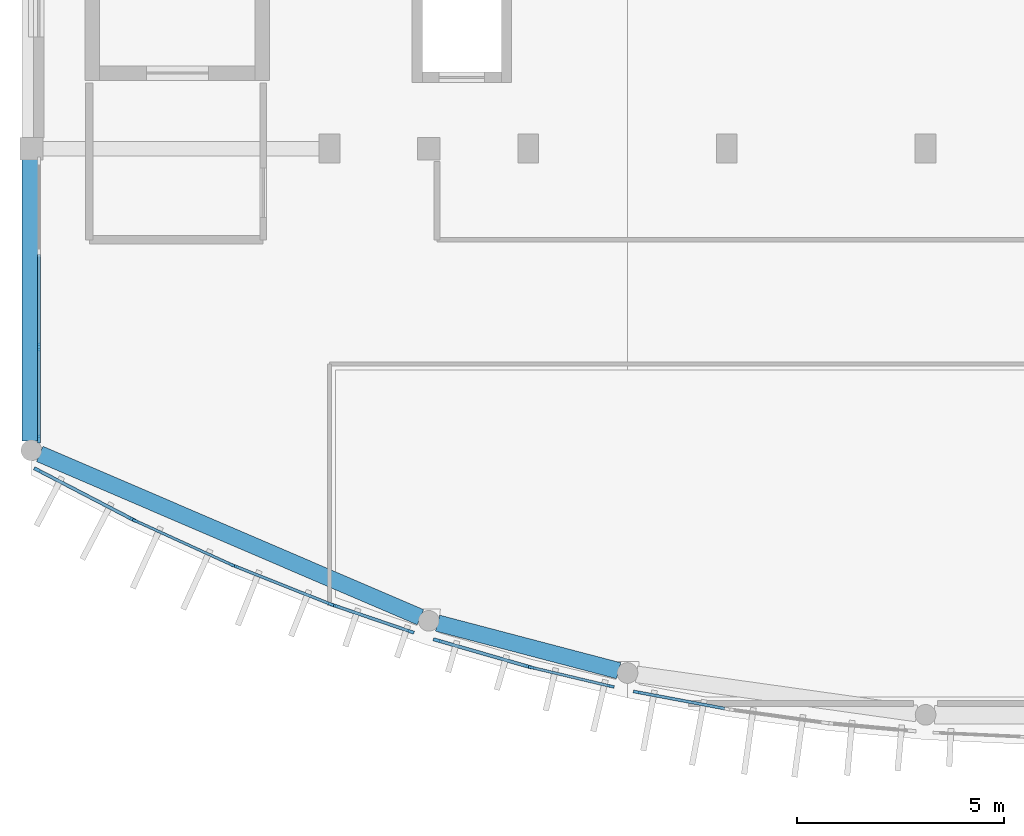
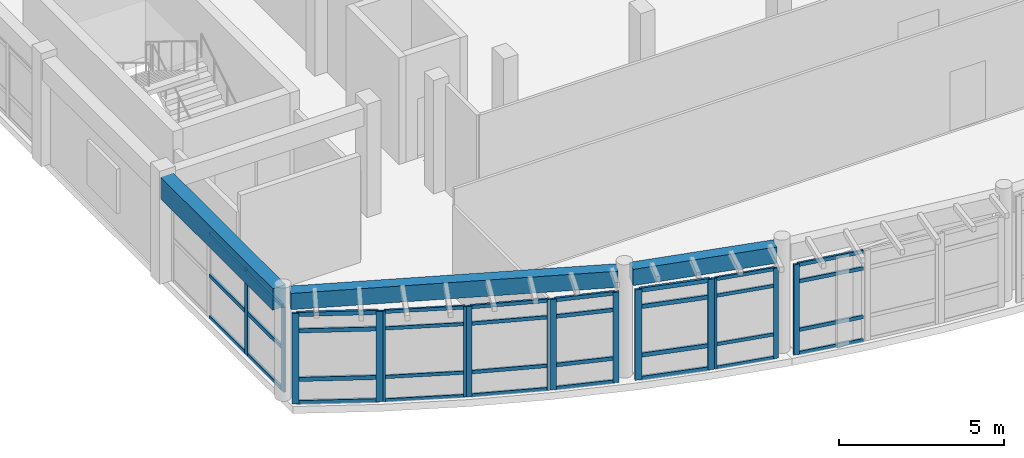
# One storey, part 9 of 60: 49 members, 3 beams, 8 elements without a shape of their own.
"""IFC4 building model written with IfcOpenShell, lengths in metres."""

from ifc_helpers import new_model, si_unit, direction, frame, origin, origin_2d, place, context, subcontext, project, spatial, rectangle, extrude, material, layer, layer_set, material_profile, profile_set, type_object, element, aggregate, save


model = new_model("IFC4")

# Units and contexts
model_context = context("Model", 3, precision=1e-05, world=origin(), true_north=direction((0.0, 1.0)))
body_context = subcontext(model_context, "Body", "Model", "MODEL_VIEW")
ifc_project = project(units=[si_unit("LENGTHUNIT", "METRE"), si_unit("AREAUNIT", "SQUARE_METRE"), si_unit("VOLUMEUNIT", "CUBIC_METRE"), si_unit("PLANEANGLEUNIT", "RADIAN"), si_unit("MASSUNIT", "GRAM", prefix="KILO")], contexts=[model_context])

# Site, building, storey
site_placement = place(None, origin())
site = spatial("IfcSite", under=ifc_project, at=site_placement, CompositionType="ELEMENT")
building_placement = place(site_placement, origin())
building = spatial("IfcBuilding", under=site, at=building_placement, Name="Brisavento Harbour Community Centre", CompositionType="ELEMENT")
storey_placement = place(building_placement, frame((0.0, 0.0, 4.5)))
storey = spatial("IfcBuildingStorey", under=building, at=storey_placement, Name="L01", CompositionType="ELEMENT", Elevation=4.5)

# Beams
ifc_material_1 = material(Name="Concrete C35/45", Category="concrete")
ifc_material_profile_1 = material_profile(ifc_material_1, rectangle(XDim=0.449951171875, YDim=0.800048828125, at=origin_2d()), Name="Concrete C35/45")
ifc_profile_set_1 = profile_set([ifc_material_profile_1], Name="Concrete C35/45")
beam_type_1 = type_object("IfcBeamType", Name="BM-RC-450x800", PredefinedType="BEAM", material=ifc_profile_set_1)
beam_1_placement = place(storey_placement, frame((0.0, 7.334228515625, 3.550048828125), z_axis=(0.0, 1.0, 0.0), x_axis=(-1.0, 0.0, 0.0)))
element("IfcBeam", 1, at=beam_1_placement, inside=storey, type_object=beam_type_1, Name="L01 primary girder Y0475", PredefinedType="BEAM", context=body_context, shape_type="SweptSolid", body=[
    extrude(rectangle(XDim=0.449951171875, YDim=0.800048828125, at=origin_2d()), origin(), (0.0, 0.0, 1.0), 6.82080078125),
])
ifc_material_profile_2 = material_profile(ifc_material_1, rectangle(XDim=0.39990234375, YDim=0.60009765625, at=origin_2d()), Name="Concrete C35/45")
ifc_profile_set_2 = profile_set([ifc_material_profile_2], Name="Concrete C35/45")
beam_type_2 = type_object("IfcBeamType", Name="BM-SPN-400x600", PredefinedType="SPANDREL", material=ifc_profile_set_2)
beam_2_placement = place(storey_placement, frame((0.2021484375, 7.027587890625, 3.64990234375), z_axis=(0.918969522078, -0.394328565401, 0.0), x_axis=(0.394328565401, 0.918969522078, 0.0)))
element("IfcBeam", 2, at=beam_2_placement, inside=storey, type_object=beam_type_2, Name="L01 curved perimeter spandrel 0531", PredefinedType="SPANDREL", context=body_context, shape_type="SweptSolid", body=[
    extrude(rectangle(XDim=0.39990234375, YDim=0.60009765625, at=origin_2d()), origin(), (0.0, 0.0, 1.0), 10.00634765625),
])
beam_3_placement = place(storey_placement, frame((9.812744140625, 2.939208984375, 3.64990234375), z_axis=(0.967170956244, -0.254126624735, 0.0), x_axis=(0.254126624735, 0.967170956244, 0.0)))
element("IfcBeam", 3, at=beam_3_placement, inside=storey, type_object=beam_type_2, Name="L01 curved perimeter spandrel 0532", PredefinedType="SPANDREL", context=body_context, shape_type="SweptSolid", body=[
    extrude(rectangle(XDim=0.39990234375, YDim=0.60009765625, at=origin_2d()), origin(), (0.0, 0.0, 1.0), 4.52294921875),
])

# Curtain wall, members
ifc_material_2 = material(Name="Marine-anodised aluminium AW-6063-T6", Category="aluminium")
ifc_layer_1 = layer(ifc_material_2, 0.179931640625, Name="Marine-anodised aluminium AW-6063-T6")
ifc_layer_set_1 = layer_set([ifc_layer_1], Name="Marine-anodised aluminium AW-6063-T6")
curtain_wall_type_1 = type_object("IfcCurtainWallType", Name="CW-SYS-21", PredefinedType="USERDEFINED", material=ifc_layer_set_1)
curtain_wall_1_placement = place(storey_placement, origin())
curtain_wall_1 = element("IfcCurtainWall", 4, at=curtain_wall_1_placement, inside=storey, type_object=curtain_wall_type_1, Name="L01 V1 unitised curtain wall 021", ObjectType="UNITISED CURTAIN WALL", PredefinedType="USERDEFINED")
ifc_material_profile_3 = material_profile(ifc_material_2, rectangle(XDim=0.06494140625, YDim=0.1650390625, at=origin_2d()), Name="Marine-anodised aluminium AW-6063-T6")
ifc_profile_set_3 = profile_set([ifc_material_profile_3], Name="Marine-anodised aluminium AW-6063-T6")
member_type_1 = type_object("IfcMemberType", Name="CWM-01", PredefinedType="MULLION", material=ifc_profile_set_3)
member_1_placement = place(storey_placement, frame((4.828857421875, 4.353515625, 0.0), z_axis=(0.0, 0.0, 1.0), x_axis=(-0.415490040189, -0.909597727846, 0.0)))
member_1 = element("IfcMember", 5, at=member_1_placement, type_object=member_type_1, Name="CW-21 mullion 1", PredefinedType="MULLION", context=body_context, shape_type="SweptSolid", body=[
    extrude(rectangle(XDim=0.06494140625, YDim=0.1650390625, at=origin_2d()), origin(), (0.0, 0.0, 1.0), 3.35009765625),
])
member_2_placement = place(storey_placement, frame((2.520751953125, 5.40771484375, 0.0), z_axis=(0.0, 0.0, 1.0), x_axis=(-0.415490040189, -0.909597727846, 0.0)))
member_2 = element("IfcMember", 6, at=member_2_placement, type_object=member_type_1, Name="CW-21 mullion 2", PredefinedType="MULLION", context=body_context, shape_type="SweptSolid", body=[
    extrude(rectangle(XDim=0.06494140625, YDim=0.1650390625, at=origin_2d()), origin(), (0.0, 0.0, 1.0), 3.35009765625),
])

ifc_layer_2 = layer(ifc_material_2, 0.179931640625, Name="Marine-anodised aluminium AW-6063-T6")
ifc_layer_set_2 = layer_set([ifc_layer_2], Name="Marine-anodised aluminium AW-6063-T6")
curtain_wall_type_2 = type_object("IfcCurtainWallType", Name="CW-SYS-25", PredefinedType="USERDEFINED", material=ifc_layer_set_2)
curtain_wall_2_placement = place(storey_placement, origin())
curtain_wall_2 = element("IfcCurtainWall", 7, at=curtain_wall_2_placement, inside=storey, type_object=curtain_wall_type_2, Name="L01 V1 unitised curtain wall 025", ObjectType="UNITISED CURTAIN WALL", PredefinedType="USERDEFINED")
member_3_placement = place(storey_placement, frame((13.9970703125, 1.41455078125, 0.0), z_axis=(0.0, 0.0, 1.0), x_axis=(-0.230812289714, -0.972998297489, 0.0)))
member_3 = element("IfcMember", 8, at=member_3_placement, type_object=member_type_1, Name="CW-25 mullion 1", PredefinedType="MULLION", context=body_context, shape_type="SweptSolid", body=[
    extrude(rectangle(XDim=0.06494140625, YDim=0.1650390625, at=origin_2d()), origin(), (0.0, 0.0, 1.0), 3.35009765625),
])
member_4_placement = place(storey_placement, frame((12.0908203125, 1.86669921875, 0.0), z_axis=(0.0, 0.0, 1.0), x_axis=(-0.230812289714, -0.972998297489, 0.0)))
member_4 = element("IfcMember", 9, at=member_4_placement, type_object=member_type_1, Name="CW-25 mullion 2", PredefinedType="MULLION", context=body_context, shape_type="SweptSolid", body=[
    extrude(rectangle(XDim=0.06494140625, YDim=0.1650390625, at=origin_2d()), origin(), (0.0, 0.0, 1.0), 3.35009765625),
])

ifc_layer_3 = layer(ifc_material_2, 0.179931640625, Name="Marine-anodised aluminium AW-6063-T6")
ifc_layer_set_3 = layer_set([ifc_layer_3], Name="Marine-anodised aluminium AW-6063-T6")
curtain_wall_type_3 = type_object("IfcCurtainWallType", Name="CW-SYS-22", PredefinedType="USERDEFINED", material=ifc_layer_set_3)
curtain_wall_3_placement = place(storey_placement, origin())
curtain_wall_3 = element("IfcCurtainWall", 10, at=curtain_wall_3_placement, inside=storey, type_object=curtain_wall_type_3, Name="L01 V1 unitised curtain wall 022", ObjectType="UNITISED CURTAIN WALL", PredefinedType="USERDEFINED")
ifc_material_profile_4 = material_profile(ifc_material_2, rectangle(XDim=0.070068359375, YDim=0.179931640625, at=origin_2d()), Name="Marine-anodised aluminium AW-6063-T6")
ifc_profile_set_4 = profile_set([ifc_material_profile_4], Name="Marine-anodised aluminium AW-6063-T6")
member_type_2 = type_object("IfcMemberType", Name="CWM-02", PredefinedType="MULLION", material=ifc_profile_set_4)
member_5_placement = place(storey_placement, frame((7.21728515625, 3.401611328125, 0.0), z_axis=(0.0, 0.0, 1.0), x_axis=(-0.369379094613, -0.929278798027, 0.0)))
member_5 = element("IfcMember", 11, at=member_5_placement, type_object=member_type_2, Name="CW-22 mullion 1", PredefinedType="MULLION", context=body_context, shape_type="SweptSolid", body=[
    extrude(rectangle(XDim=0.070068359375, YDim=0.179931640625, at=origin_2d()), origin(), (0.0, 0.0, 1.0), 3.35009765625),
])
member_6_placement = place(storey_placement, frame((4.915771484375, 4.31640625, 0.0), z_axis=(0.0, 0.0, 1.0), x_axis=(-0.369379094613, -0.929278798027, 0.0)))
member_6 = element("IfcMember", 12, at=member_6_placement, type_object=member_type_2, Name="CW-22 mullion 2", PredefinedType="MULLION", context=body_context, shape_type="SweptSolid", body=[
    extrude(rectangle(XDim=0.070068359375, YDim=0.179931640625, at=origin_2d()), origin(), (0.0, 0.0, 1.0), 3.35009765625),
])

# Curtain wall, member
ifc_layer_4 = layer(ifc_material_2, 0.179931640625, Name="Marine-anodised aluminium AW-6063-T6")
ifc_layer_set_4 = layer_set([ifc_layer_4], Name="Marine-anodised aluminium AW-6063-T6")
curtain_wall_type_4 = type_object("IfcCurtainWallType", Name="CW-SYS-26", PredefinedType="USERDEFINED", material=ifc_layer_set_4)
curtain_wall_4_placement = place(storey_placement, origin())
curtain_wall_4 = element("IfcCurtainWall", 13, at=curtain_wall_4_placement, inside=storey, type_object=curtain_wall_type_4, Name="L01 V1 unitised curtain wall 026", ObjectType="UNITISED CURTAIN WALL", PredefinedType="USERDEFINED")
member_7_placement = place(storey_placement, frame((14.630859375, 1.273681640625, 0.0), z_axis=(0.0, 0.0, 1.0), x_axis=(-0.184689637418, -0.982796895513, 0.0)))
member_7 = element("IfcMember", 14, at=member_7_placement, type_object=member_type_2, Name="CW-26 mullion 2", PredefinedType="MULLION", context=body_context, shape_type="SweptSolid", body=[
    extrude(rectangle(XDim=0.070068359375, YDim=0.179931640625, at=origin_2d()), origin(), (0.0, 0.0, 1.0), 3.35009765625),
])

# Curtain wall, members
ifc_layer_5 = layer(ifc_material_2, 0.179931640625, Name="Marine-anodised aluminium AW-6063-T6")
ifc_layer_set_5 = layer_set([ifc_layer_5], Name="Marine-anodised aluminium AW-6063-T6")
curtain_wall_type_5 = type_object("IfcCurtainWallType", Name="CW-SYS-23", PredefinedType="USERDEFINED", material=ifc_layer_set_5)
curtain_wall_5_placement = place(storey_placement, origin())
curtain_wall_5 = element("IfcCurtainWall", 15, at=curtain_wall_5_placement, inside=storey, type_object=curtain_wall_type_5, Name="L01 V1 unitised curtain wall 023", ObjectType="UNITISED CURTAIN WALL", PredefinedType="USERDEFINED")
ifc_material_profile_5 = material_profile(ifc_material_2, rectangle(XDim=0.074951171875, YDim=0.18994140625, at=origin_2d()), Name="Marine-anodised aluminium AW-6063-T6")
ifc_profile_set_5 = profile_set([ifc_material_profile_5], Name="Marine-anodised aluminium AW-6063-T6")
member_type_3 = type_object("IfcMemberType", Name="CWM-03", PredefinedType="MULLION", material=ifc_profile_set_5)
member_8_placement = place(storey_placement, frame((9.153076171875, 2.738037109375, 0.0), z_axis=(0.0, 0.0, 1.0), x_axis=(-0.323178425743, -0.946338050136, 0.0)))
member_8 = element("IfcMember", 16, at=member_8_placement, type_object=member_type_3, Name="CW-23 mullion 1", PredefinedType="MULLION", context=body_context, shape_type="SweptSolid", body=[
    extrude(rectangle(XDim=0.074951171875, YDim=0.18994140625, at=origin_2d()), origin(), (0.0, 0.0, 1.0), 3.35009765625),
])
member_9_placement = place(storey_placement, frame((7.310791015625, 3.3671875, 0.0), z_axis=(0.0, 0.0, 1.0), x_axis=(-0.323178425743, -0.946338050136, 0.0)))
member_9 = element("IfcMember", 17, at=member_9_placement, type_object=member_type_3, Name="CW-23 mullion 2", PredefinedType="MULLION", context=body_context, shape_type="SweptSolid", body=[
    extrude(rectangle(XDim=0.074951171875, YDim=0.18994140625, at=origin_2d()), origin(), (0.0, 0.0, 1.0), 3.35009765625),
])

ifc_layer_6 = layer(ifc_material_2, 0.179931640625, Name="Marine-anodised aluminium AW-6063-T6")
ifc_layer_set_6 = layer_set([ifc_layer_6], Name="Marine-anodised aluminium AW-6063-T6")
curtain_wall_type_6 = type_object("IfcCurtainWallType", Name="CW-SYS-19", PredefinedType="USERDEFINED", material=ifc_layer_set_6)
curtain_wall_6_placement = place(storey_placement, origin())
curtain_wall_6 = element("IfcCurtainWall", 18, at=curtain_wall_6_placement, inside=storey, type_object=curtain_wall_type_6, Name="L01 V1 unitised curtain wall 047", ObjectType="UNITISED CURTAIN WALL", PredefinedType="USERDEFINED")
member_10_placement = place(storey_placement, frame((0.179931640625, 7.38671875, 0.0), z_axis=(0.0, 0.0, 1.0), x_axis=(-1.0, 0.0, 0.0)))
member_10 = element("IfcMember", 19, at=member_10_placement, type_object=member_type_3, Name="CW-19 mullion 1", PredefinedType="MULLION", context=body_context, shape_type="SweptSolid", body=[
    extrude(rectangle(XDim=0.074951171875, YDim=0.18994140625, at=origin_2d()), origin(), (0.0, 0.0, 1.0), 3.14990234375),
])
member_11_placement = place(storey_placement, frame((0.179931640625, 9.61279296875, 0.0), z_axis=(0.0, 0.0, 1.0), x_axis=(-1.0, 0.0, 0.0)))
member_11 = element("IfcMember", 20, at=member_11_placement, type_object=member_type_3, Name="CW-19 mullion 2", PredefinedType="MULLION", context=body_context, shape_type="SweptSolid", body=[
    extrude(rectangle(XDim=0.074951171875, YDim=0.18994140625, at=origin_2d()), origin(), (0.0, 0.0, 1.0), 3.14990234375),
])

ifc_layer_7 = layer(ifc_material_2, 0.179931640625, Name="Marine-anodised aluminium AW-6063-T6")
ifc_layer_set_7 = layer_set([ifc_layer_7], Name="Marine-anodised aluminium AW-6063-T6")
curtain_wall_type_7 = type_object("IfcCurtainWallType", Name="CW-SYS-20", PredefinedType="USERDEFINED", material=ifc_layer_set_7)
curtain_wall_7_placement = place(storey_placement, origin())
curtain_wall_7 = element("IfcCurtainWall", 21, at=curtain_wall_7_placement, inside=storey, type_object=curtain_wall_type_7, Name="L01 V1 unitised curtain wall 020", ObjectType="UNITISED CURTAIN WALL", PredefinedType="USERDEFINED")
ifc_material_profile_6 = material_profile(ifc_material_2, rectangle(XDim=0.080078125, YDim=0.2099609375, at=origin_2d()), Name="Marine-anodised aluminium AW-6063-T6")
ifc_profile_set_6 = profile_set([ifc_material_profile_6], Name="Marine-anodised aluminium AW-6063-T6")
member_type_4 = type_object("IfcMemberType", Name="CWM-04", PredefinedType="MULLION", material=ifc_profile_set_6)
member_12_placement = place(storey_placement, frame((2.431640625, 5.451416015625, 0.0), z_axis=(0.0, 0.0, 1.0), x_axis=(-0.461731608705, -0.887019684969, 0.0)))
member_12 = element("IfcMember", 22, at=member_12_placement, type_object=member_type_4, Name="CW-20 mullion 1", PredefinedType="MULLION", context=body_context, shape_type="SweptSolid", body=[
    extrude(rectangle(XDim=0.080078125, YDim=0.2099609375, at=origin_2d()), origin(), (0.0, 0.0, 1.0), 3.35009765625),
])
member_13_placement = place(storey_placement, frame((0.15869140625, 6.634521484375, 0.0), z_axis=(0.0, 0.0, 1.0), x_axis=(-0.461731608705, -0.887019684969, 0.0)))
member_13 = element("IfcMember", 23, at=member_13_placement, type_object=member_type_4, Name="CW-20 mullion 2", PredefinedType="MULLION", context=body_context, shape_type="SweptSolid", body=[
    extrude(rectangle(XDim=0.080078125, YDim=0.2099609375, at=origin_2d()), origin(), (0.0, 0.0, 1.0), 3.35009765625),
])

ifc_layer_8 = layer(ifc_material_2, 0.179931640625, Name="Marine-anodised aluminium AW-6063-T6")
ifc_layer_set_8 = layer_set([ifc_layer_8], Name="Marine-anodised aluminium AW-6063-T6")
curtain_wall_type_8 = type_object("IfcCurtainWallType", Name="CW-SYS-24", PredefinedType="USERDEFINED", material=ifc_layer_set_8)
curtain_wall_8_placement = place(storey_placement, origin())
curtain_wall_8 = element("IfcCurtainWall", 24, at=curtain_wall_8_placement, inside=storey, type_object=curtain_wall_type_8, Name="L01 V1 unitised curtain wall 024", ObjectType="UNITISED CURTAIN WALL", PredefinedType="USERDEFINED")
member_14_placement = place(storey_placement, frame((11.994140625, 1.892333984375, 0.0), z_axis=(0.0, 0.0, 1.0), x_axis=(-0.277011917183, -0.960866482785, 0.0)))
member_14 = element("IfcMember", 25, at=member_14_placement, type_object=member_type_4, Name="CW-24 mullion 1", PredefinedType="MULLION", context=body_context, shape_type="SweptSolid", body=[
    extrude(rectangle(XDim=0.080078125, YDim=0.2099609375, at=origin_2d()), origin(), (0.0, 0.0, 1.0), 3.35009765625),
])
member_15_placement = place(storey_placement, frame((9.8115234375, 2.521484375, 0.0), z_axis=(0.0, 0.0, 1.0), x_axis=(-0.277011917183, -0.960866482785, 0.0)))
member_15 = element("IfcMember", 26, at=member_15_placement, type_object=member_type_4, Name="CW-24 mullion 2", PredefinedType="MULLION", context=body_context, shape_type="SweptSolid", body=[
    extrude(rectangle(XDim=0.080078125, YDim=0.2099609375, at=origin_2d()), origin(), (0.0, 0.0, 1.0), 3.35009765625),
])

# Member
ifc_material_profile_7 = material_profile(ifc_material_2, rectangle(XDim=0.06494140625, YDim=0.125, at=origin_2d()), Name="Marine-anodised aluminium AW-6063-T6")
ifc_profile_set_7 = profile_set([ifc_material_profile_7], Name="Marine-anodised aluminium AW-6063-T6")
member_type_5 = type_object("IfcMemberType", Name="CWT-01", PredefinedType="USERDEFINED", material=ifc_profile_set_7)
member_16_placement = place(storey_placement, frame((4.79931640625, 4.366943359375, 0.032470703125), z_axis=(-0.909593912903, 0.415498391825, 0.0), x_axis=(-0.415498391825, -0.909593912903, 0.0)))
member_16 = element("IfcMember", 27, at=member_16_placement, type_object=member_type_5, Name="CW-21 transom 1.1", ObjectType="TRANSOM", PredefinedType="USERDEFINED", context=body_context, shape_type="SweptSolid", body=[
    extrude(rectangle(XDim=0.06494140625, YDim=0.125, at=origin_2d()), origin(), (0.0, 0.0, 1.0), 2.47265625),
])

member_17_placement = place(storey_placement, frame((4.79931640625, 4.366943359375, 0.89990234375), z_axis=(-0.909593912903, 0.415498391825, 0.0), x_axis=(-0.415498391825, -0.909593912903, 0.0)))
member_17 = element("IfcMember", 28, at=member_17_placement, type_object=member_type_5, Name="CW-21 transom 1.2", ObjectType="TRANSOM", PredefinedType="USERDEFINED", context=body_context, shape_type="SweptSolid", body=[
    extrude(rectangle(XDim=0.06494140625, YDim=0.125, at=origin_2d()), origin(), (0.0, 0.0, 1.0), 2.47265625),
])

member_18_placement = place(storey_placement, frame((4.79931640625, 4.366943359375, 2.699951171875), z_axis=(-0.909593912903, 0.415498391825, 0.0), x_axis=(-0.415498391825, -0.909593912903, 0.0)))
member_18 = element("IfcMember", 29, at=member_18_placement, type_object=member_type_5, Name="CW-21 transom 1.3", ObjectType="TRANSOM", PredefinedType="USERDEFINED", context=body_context, shape_type="SweptSolid", body=[
    extrude(rectangle(XDim=0.06494140625, YDim=0.125, at=origin_2d()), origin(), (0.0, 0.0, 1.0), 2.47265625),
])

member_19_placement = place(storey_placement, frame((4.79931640625, 4.366943359375, 3.3173828125), z_axis=(-0.909593912903, 0.415498391825, 0.0), x_axis=(-0.415498391825, -0.909593912903, 0.0)))
member_19 = element("IfcMember", 30, at=member_19_placement, type_object=member_type_5, Name="CW-21 transom 1.4", ObjectType="TRANSOM", PredefinedType="USERDEFINED", context=body_context, shape_type="SweptSolid", body=[
    extrude(rectangle(XDim=0.06494140625, YDim=0.125, at=origin_2d()), origin(), (0.0, 0.0, 1.0), 2.47265625),
])

aggregate(curtain_wall_1, [member_1, member_2, member_16, member_17, member_18, member_19])

member_20_placement = place(storey_placement, frame((13.96533203125, 1.422119140625, 0.032470703125), z_axis=(-0.973020160263, 0.230720106885, 0.0), x_axis=(-0.230720106885, -0.973020160263, 0.0)))
member_20 = element("IfcMember", 31, at=member_20_placement, type_object=member_type_5, Name="CW-25 transom 1.1", ObjectType="TRANSOM", PredefinedType="USERDEFINED", context=body_context, shape_type="SweptSolid", body=[
    extrude(rectangle(XDim=0.06494140625, YDim=0.125, at=origin_2d()), origin(), (0.0, 0.0, 1.0), 1.89404296875),
])

member_21_placement = place(storey_placement, frame((13.96533203125, 1.422119140625, 0.89990234375), z_axis=(-0.973020160263, 0.230720106885, 0.0), x_axis=(-0.230720106885, -0.973020160263, 0.0)))
member_21 = element("IfcMember", 32, at=member_21_placement, type_object=member_type_5, Name="CW-25 transom 1.2", ObjectType="TRANSOM", PredefinedType="USERDEFINED", context=body_context, shape_type="SweptSolid", body=[
    extrude(rectangle(XDim=0.06494140625, YDim=0.125, at=origin_2d()), origin(), (0.0, 0.0, 1.0), 1.89404296875),
])

member_22_placement = place(storey_placement, frame((13.96533203125, 1.422119140625, 2.699951171875), z_axis=(-0.973020160263, 0.230720106885, 0.0), x_axis=(-0.230720106885, -0.973020160263, 0.0)))
member_22 = element("IfcMember", 33, at=member_22_placement, type_object=member_type_5, Name="CW-25 transom 1.3", ObjectType="TRANSOM", PredefinedType="USERDEFINED", context=body_context, shape_type="SweptSolid", body=[
    extrude(rectangle(XDim=0.06494140625, YDim=0.125, at=origin_2d()), origin(), (0.0, 0.0, 1.0), 1.89404296875),
])

member_23_placement = place(storey_placement, frame((13.96533203125, 1.422119140625, 3.3173828125), z_axis=(-0.973020160263, 0.230720106885, 0.0), x_axis=(-0.230720106885, -0.973020160263, 0.0)))
member_23 = element("IfcMember", 34, at=member_23_placement, type_object=member_type_5, Name="CW-25 transom 1.4", ObjectType="TRANSOM", PredefinedType="USERDEFINED", context=body_context, shape_type="SweptSolid", body=[
    extrude(rectangle(XDim=0.06494140625, YDim=0.125, at=origin_2d()), origin(), (0.0, 0.0, 1.0), 1.89404296875),
])

aggregate(curtain_wall_2, [member_3, member_4, member_20, member_21, member_22, member_23])

ifc_material_profile_8 = material_profile(ifc_material_2, rectangle(XDim=0.070068359375, YDim=0.132080078125, at=origin_2d()), Name="Marine-anodised aluminium AW-6063-T6")
ifc_profile_set_8 = profile_set([ifc_material_profile_8], Name="Marine-anodised aluminium AW-6063-T6")
member_type_6 = type_object("IfcMemberType", Name="CWT-02", PredefinedType="USERDEFINED", material=ifc_profile_set_8)
member_24_placement = place(storey_placement, frame((7.184814453125, 3.41455078125, 0.034912109375), z_axis=(-0.929292952789, 0.369343482273, 0.0), x_axis=(-0.369343482273, -0.929292952789, 0.0)))
member_24 = element("IfcMember", 35, at=member_24_placement, type_object=member_type_6, Name="CW-22 transom 1.1", ObjectType="TRANSOM", PredefinedType="USERDEFINED", context=body_context, shape_type="SweptSolid", body=[
    extrude(rectangle(XDim=0.070068359375, YDim=0.132080078125, at=origin_2d()), origin(), (0.0, 0.0, 1.0), 2.40673828125),
])

member_25_placement = place(storey_placement, frame((7.184814453125, 3.41455078125, 0.89990234375), z_axis=(-0.929292952789, 0.369343482273, 0.0), x_axis=(-0.369343482273, -0.929292952789, 0.0)))
member_25 = element("IfcMember", 36, at=member_25_placement, type_object=member_type_6, Name="CW-22 transom 1.2", ObjectType="TRANSOM", PredefinedType="USERDEFINED", context=body_context, shape_type="SweptSolid", body=[
    extrude(rectangle(XDim=0.070068359375, YDim=0.132080078125, at=origin_2d()), origin(), (0.0, 0.0, 1.0), 2.40673828125),
])

member_26_placement = place(storey_placement, frame((7.184814453125, 3.41455078125, 2.699951171875), z_axis=(-0.929292952789, 0.369343482273, 0.0), x_axis=(-0.369343482273, -0.929292952789, 0.0)))
member_26 = element("IfcMember", 37, at=member_26_placement, type_object=member_type_6, Name="CW-22 transom 1.3", ObjectType="TRANSOM", PredefinedType="USERDEFINED", context=body_context, shape_type="SweptSolid", body=[
    extrude(rectangle(XDim=0.070068359375, YDim=0.132080078125, at=origin_2d()), origin(), (0.0, 0.0, 1.0), 2.40673828125),
])

member_27_placement = place(storey_placement, frame((7.184814453125, 3.41455078125, 3.31494140625), z_axis=(-0.929292952789, 0.369343482273, 0.0), x_axis=(-0.369343482273, -0.929292952789, 0.0)))
member_27 = element("IfcMember", 38, at=member_27_placement, type_object=member_type_6, Name="CW-22 transom 1.4", ObjectType="TRANSOM", PredefinedType="USERDEFINED", context=body_context, shape_type="SweptSolid", body=[
    extrude(rectangle(XDim=0.070068359375, YDim=0.132080078125, at=origin_2d()), origin(), (0.0, 0.0, 1.0), 2.40673828125),
])

aggregate(curtain_wall_3, [member_5, member_6, member_24, member_25, member_26, member_27])

member_28_placement = place(storey_placement, frame((16.746826171875, 0.876220703125, 0.034912109375), z_axis=(-0.982801647447, 0.184664348957, 0.0), x_axis=(-0.184664348957, -0.982801647447, 0.0)))
member_28 = element("IfcMember", 39, at=member_28_placement, type_object=member_type_6, Name="CW-26 transom 1.1", ObjectType="TRANSOM", PredefinedType="USERDEFINED", context=body_context, shape_type="SweptSolid", body=[
    extrude(rectangle(XDim=0.070068359375, YDim=0.132080078125, at=origin_2d()), origin(), (0.0, 0.0, 1.0), 2.117919921875),
])

member_29_placement = place(storey_placement, frame((16.746826171875, 0.876220703125, 0.89990234375), z_axis=(-0.982801647447, 0.184664348957, 0.0), x_axis=(-0.184664348957, -0.982801647447, 0.0)))
member_29 = element("IfcMember", 40, at=member_29_placement, type_object=member_type_6, Name="CW-26 transom 1.2", ObjectType="TRANSOM", PredefinedType="USERDEFINED", context=body_context, shape_type="SweptSolid", body=[
    extrude(rectangle(XDim=0.070068359375, YDim=0.132080078125, at=origin_2d()), origin(), (0.0, 0.0, 1.0), 2.117919921875),
])

member_30_placement = place(storey_placement, frame((16.746826171875, 0.876220703125, 2.699951171875), z_axis=(-0.982801647447, 0.184664348957, 0.0), x_axis=(-0.184664348957, -0.982801647447, 0.0)))
member_30 = element("IfcMember", 41, at=member_30_placement, type_object=member_type_6, Name="CW-26 transom 1.3", ObjectType="TRANSOM", PredefinedType="USERDEFINED", context=body_context, shape_type="SweptSolid", body=[
    extrude(rectangle(XDim=0.070068359375, YDim=0.132080078125, at=origin_2d()), origin(), (0.0, 0.0, 1.0), 2.117919921875),
])

member_31_placement = place(storey_placement, frame((16.746826171875, 0.876220703125, 3.31494140625), z_axis=(-0.982801647447, 0.184664348957, 0.0), x_axis=(-0.184664348957, -0.982801647447, 0.0)))
member_31 = element("IfcMember", 42, at=member_31_placement, type_object=member_type_6, Name="CW-26 transom 1.4", ObjectType="TRANSOM", PredefinedType="USERDEFINED", context=body_context, shape_type="SweptSolid", body=[
    extrude(rectangle(XDim=0.070068359375, YDim=0.132080078125, at=origin_2d()), origin(), (0.0, 0.0, 1.0), 2.117919921875),
])

aggregate(curtain_wall_4, [member_7, member_28, member_29, member_30, member_31])

ifc_material_profile_9 = material_profile(ifc_material_2, rectangle(XDim=0.074951171875, YDim=0.139892578125, at=origin_2d()), Name="Marine-anodised aluminium AW-6063-T6")
ifc_profile_set_9 = profile_set([ifc_material_profile_9], Name="Marine-anodised aluminium AW-6063-T6")
member_type_7 = type_object("IfcMemberType", Name="CWT-03", PredefinedType="USERDEFINED", material=ifc_profile_set_9)
member_32_placement = place(storey_placement, frame((9.117431640625, 2.750244140625, 0.03759765625), z_axis=(-0.946362503499, 0.323106812015, 0.0), x_axis=(-0.323106812015, -0.946362503499, 0.0)))
member_32 = element("IfcMember", 43, at=member_32_placement, type_object=member_type_7, Name="CW-23 transom 1.1", ObjectType="TRANSOM", PredefinedType="USERDEFINED", context=body_context, shape_type="SweptSolid", body=[
    extrude(rectangle(XDim=0.074951171875, YDim=0.139892578125, at=origin_2d()), origin(), (0.0, 0.0, 1.0), 1.87158203125),
])

member_33_placement = place(storey_placement, frame((9.117431640625, 2.750244140625, 0.89990234375), z_axis=(-0.946362503499, 0.323106812015, 0.0), x_axis=(-0.323106812015, -0.946362503499, 0.0)))
member_33 = element("IfcMember", 44, at=member_33_placement, type_object=member_type_7, Name="CW-23 transom 1.2", ObjectType="TRANSOM", PredefinedType="USERDEFINED", context=body_context, shape_type="SweptSolid", body=[
    extrude(rectangle(XDim=0.074951171875, YDim=0.139892578125, at=origin_2d()), origin(), (0.0, 0.0, 1.0), 1.87158203125),
])

member_34_placement = place(storey_placement, frame((9.117431640625, 2.750244140625, 2.699951171875), z_axis=(-0.946362503499, 0.323106812015, 0.0), x_axis=(-0.323106812015, -0.946362503499, 0.0)))
member_34 = element("IfcMember", 45, at=member_34_placement, type_object=member_type_7, Name="CW-23 transom 1.3", ObjectType="TRANSOM", PredefinedType="USERDEFINED", context=body_context, shape_type="SweptSolid", body=[
    extrude(rectangle(XDim=0.074951171875, YDim=0.139892578125, at=origin_2d()), origin(), (0.0, 0.0, 1.0), 1.87158203125),
])

member_35_placement = place(storey_placement, frame((9.117431640625, 2.750244140625, 3.3125), z_axis=(-0.946362503499, 0.323106812015, 0.0), x_axis=(-0.323106812015, -0.946362503499, 0.0)))
member_35 = element("IfcMember", 46, at=member_35_placement, type_object=member_type_7, Name="CW-23 transom 1.4", ObjectType="TRANSOM", PredefinedType="USERDEFINED", context=body_context, shape_type="SweptSolid", body=[
    extrude(rectangle(XDim=0.074951171875, YDim=0.139892578125, at=origin_2d()), origin(), (0.0, 0.0, 1.0), 1.87158203125),
])

aggregate(curtain_wall_5, [member_8, member_9, member_32, member_33, member_34, member_35])

member_36_placement = place(storey_placement, frame((0.179931640625, 7.42431640625, 0.03759765625), z_axis=(0.0, 1.0, 0.0), x_axis=(-1.0, 0.0, 0.0)))
member_36 = element("IfcMember", 47, at=member_36_placement, type_object=member_type_7, Name="CW-19 transom 1.1", ObjectType="TRANSOM", PredefinedType="USERDEFINED", context=body_context, shape_type="SweptSolid", body=[
    extrude(rectangle(XDim=0.074951171875, YDim=0.139892578125, at=origin_2d()), origin(), (0.0, 0.0, 1.0), 2.15087890625),
])

member_37_placement = place(storey_placement, frame((0.179931640625, 7.42431640625, 1.574951171875), z_axis=(0.0, 1.0, 0.0), x_axis=(-1.0, 0.0, 0.0)))
member_37 = element("IfcMember", 48, at=member_37_placement, type_object=member_type_7, Name="CW-19 transom 1.2", ObjectType="TRANSOM", PredefinedType="USERDEFINED", context=body_context, shape_type="SweptSolid", body=[
    extrude(rectangle(XDim=0.074951171875, YDim=0.139892578125, at=origin_2d()), origin(), (0.0, 0.0, 1.0), 2.15087890625),
])

member_38_placement = place(storey_placement, frame((0.179931640625, 7.42431640625, 3.112548828125), z_axis=(0.0, 1.0, 0.0), x_axis=(-1.0, 0.0, 0.0)))
member_38 = element("IfcMember", 49, at=member_38_placement, type_object=member_type_7, Name="CW-19 transom 1.3", ObjectType="TRANSOM", PredefinedType="USERDEFINED", context=body_context, shape_type="SweptSolid", body=[
    extrude(rectangle(XDim=0.074951171875, YDim=0.139892578125, at=origin_2d()), origin(), (0.0, 0.0, 1.0), 2.15087890625),
])

member_39_placement = place(storey_placement, frame((0.179931640625, 9.650390625, 0.03759765625), z_axis=(0.0, 1.0, 0.0), x_axis=(-1.0, 0.0, 0.0)))
member_39 = element("IfcMember", 50, at=member_39_placement, type_object=member_type_7, Name="CW-19 transom 2.1", ObjectType="TRANSOM", PredefinedType="USERDEFINED", context=body_context, shape_type="SweptSolid", body=[
    extrude(rectangle(XDim=0.074951171875, YDim=0.139892578125, at=origin_2d()), origin(), (0.0, 0.0, 1.0), 2.1884765625),
])

member_40_placement = place(storey_placement, frame((0.179931640625, 9.650390625, 1.574951171875), z_axis=(0.0, 1.0, 0.0), x_axis=(-1.0, 0.0, 0.0)))
member_40 = element("IfcMember", 51, at=member_40_placement, type_object=member_type_7, Name="CW-19 transom 2.2", ObjectType="TRANSOM", PredefinedType="USERDEFINED", context=body_context, shape_type="SweptSolid", body=[
    extrude(rectangle(XDim=0.074951171875, YDim=0.139892578125, at=origin_2d()), origin(), (0.0, 0.0, 1.0), 2.1884765625),
])

member_41_placement = place(storey_placement, frame((0.179931640625, 9.650390625, 3.112548828125), z_axis=(0.0, 1.0, 0.0), x_axis=(-1.0, 0.0, 0.0)))
member_41 = element("IfcMember", 52, at=member_41_placement, type_object=member_type_7, Name="CW-19 transom 2.3", ObjectType="TRANSOM", PredefinedType="USERDEFINED", context=body_context, shape_type="SweptSolid", body=[
    extrude(rectangle(XDim=0.074951171875, YDim=0.139892578125, at=origin_2d()), origin(), (0.0, 0.0, 1.0), 2.1884765625),
])

aggregate(curtain_wall_6, [member_10, member_11, member_36, member_37, member_38, member_39, member_40, member_41])

ifc_material_profile_10 = material_profile(ifc_material_2, rectangle(XDim=0.080078125, YDim=0.155029296875, at=origin_2d()), Name="Marine-anodised aluminium AW-6063-T6")
ifc_profile_set_10 = profile_set([ifc_material_profile_10], Name="Marine-anodised aluminium AW-6063-T6")
member_type_8 = type_object("IfcMemberType", Name="CWT-04", PredefinedType="USERDEFINED", material=ifc_profile_set_10)
member_42_placement = place(storey_placement, frame((2.396240234375, 5.469970703125, 0.0400390625), z_axis=(-0.887031567196, 0.461708781373, 0.0), x_axis=(-0.461708781373, -0.887031567196, 0.0)))
member_42 = element("IfcMember", 53, at=member_42_placement, type_object=member_type_8, Name="CW-20 transom 1.1", ObjectType="TRANSOM", PredefinedType="USERDEFINED", context=body_context, shape_type="SweptSolid", body=[
    extrude(rectangle(XDim=0.080078125, YDim=0.155029296875, at=origin_2d()), origin(), (0.0, 0.0, 1.0), 2.482666015625),
])

member_43_placement = place(storey_placement, frame((2.396240234375, 5.469970703125, 0.89990234375), z_axis=(-0.887031567196, 0.461708781373, 0.0), x_axis=(-0.461708781373, -0.887031567196, 0.0)))
member_43 = element("IfcMember", 54, at=member_43_placement, type_object=member_type_8, Name="CW-20 transom 1.2", ObjectType="TRANSOM", PredefinedType="USERDEFINED", context=body_context, shape_type="SweptSolid", body=[
    extrude(rectangle(XDim=0.080078125, YDim=0.155029296875, at=origin_2d()), origin(), (0.0, 0.0, 1.0), 2.482666015625),
])

member_44_placement = place(storey_placement, frame((2.396240234375, 5.469970703125, 2.699951171875), z_axis=(-0.887031567196, 0.461708781373, 0.0), x_axis=(-0.461708781373, -0.887031567196, 0.0)))
member_44 = element("IfcMember", 55, at=member_44_placement, type_object=member_type_8, Name="CW-20 transom 1.3", ObjectType="TRANSOM", PredefinedType="USERDEFINED", context=body_context, shape_type="SweptSolid", body=[
    extrude(rectangle(XDim=0.080078125, YDim=0.155029296875, at=origin_2d()), origin(), (0.0, 0.0, 1.0), 2.482666015625),
])

member_45_placement = place(storey_placement, frame((2.396240234375, 5.469970703125, 3.31005859375), z_axis=(-0.887031567196, 0.461708781373, 0.0), x_axis=(-0.461708781373, -0.887031567196, 0.0)))
member_45 = element("IfcMember", 56, at=member_45_placement, type_object=member_type_8, Name="CW-20 transom 1.4", ObjectType="TRANSOM", PredefinedType="USERDEFINED", context=body_context, shape_type="SweptSolid", body=[
    extrude(rectangle(XDim=0.080078125, YDim=0.155029296875, at=origin_2d()), origin(), (0.0, 0.0, 1.0), 2.482666015625),
])

aggregate(curtain_wall_7, [member_12, member_13, member_42, member_43, member_44, member_45])

member_46_placement = place(storey_placement, frame((11.955810546875, 1.9033203125, 0.0400390625), z_axis=(-0.960861232494, 0.277030128126, 0.0), x_axis=(-0.277030128126, -0.960861232494, 0.0)))
member_46 = element("IfcMember", 57, at=member_46_placement, type_object=member_type_8, Name="CW-24 transom 1.1", ObjectType="TRANSOM", PredefinedType="USERDEFINED", context=body_context, shape_type="SweptSolid", body=[
    extrude(rectangle(XDim=0.080078125, YDim=0.155029296875, at=origin_2d()), origin(), (0.0, 0.0, 1.0), 2.191650390625),
])

member_47_placement = place(storey_placement, frame((11.955810546875, 1.9033203125, 0.89990234375), z_axis=(-0.960861232494, 0.277030128126, 0.0), x_axis=(-0.277030128126, -0.960861232494, 0.0)))
member_47 = element("IfcMember", 58, at=member_47_placement, type_object=member_type_8, Name="CW-24 transom 1.2", ObjectType="TRANSOM", PredefinedType="USERDEFINED", context=body_context, shape_type="SweptSolid", body=[
    extrude(rectangle(XDim=0.080078125, YDim=0.155029296875, at=origin_2d()), origin(), (0.0, 0.0, 1.0), 2.191650390625),
])

member_48_placement = place(storey_placement, frame((11.955810546875, 1.9033203125, 2.699951171875), z_axis=(-0.960861232494, 0.277030128126, 0.0), x_axis=(-0.277030128126, -0.960861232494, 0.0)))
member_48 = element("IfcMember", 59, at=member_48_placement, type_object=member_type_8, Name="CW-24 transom 1.3", ObjectType="TRANSOM", PredefinedType="USERDEFINED", context=body_context, shape_type="SweptSolid", body=[
    extrude(rectangle(XDim=0.080078125, YDim=0.155029296875, at=origin_2d()), origin(), (0.0, 0.0, 1.0), 2.191650390625),
])

member_49_placement = place(storey_placement, frame((11.955810546875, 1.9033203125, 3.31005859375), z_axis=(-0.960861232494, 0.277030128126, 0.0), x_axis=(-0.277030128126, -0.960861232494, 0.0)))
member_49 = element("IfcMember", 60, at=member_49_placement, type_object=member_type_8, Name="CW-24 transom 1.4", ObjectType="TRANSOM", PredefinedType="USERDEFINED", context=body_context, shape_type="SweptSolid", body=[
    extrude(rectangle(XDim=0.080078125, YDim=0.155029296875, at=origin_2d()), origin(), (0.0, 0.0, 1.0), 2.191650390625),
])

aggregate(curtain_wall_8, [member_14, member_15, member_46, member_47, member_48, member_49])

save(model, "model.ifc")
